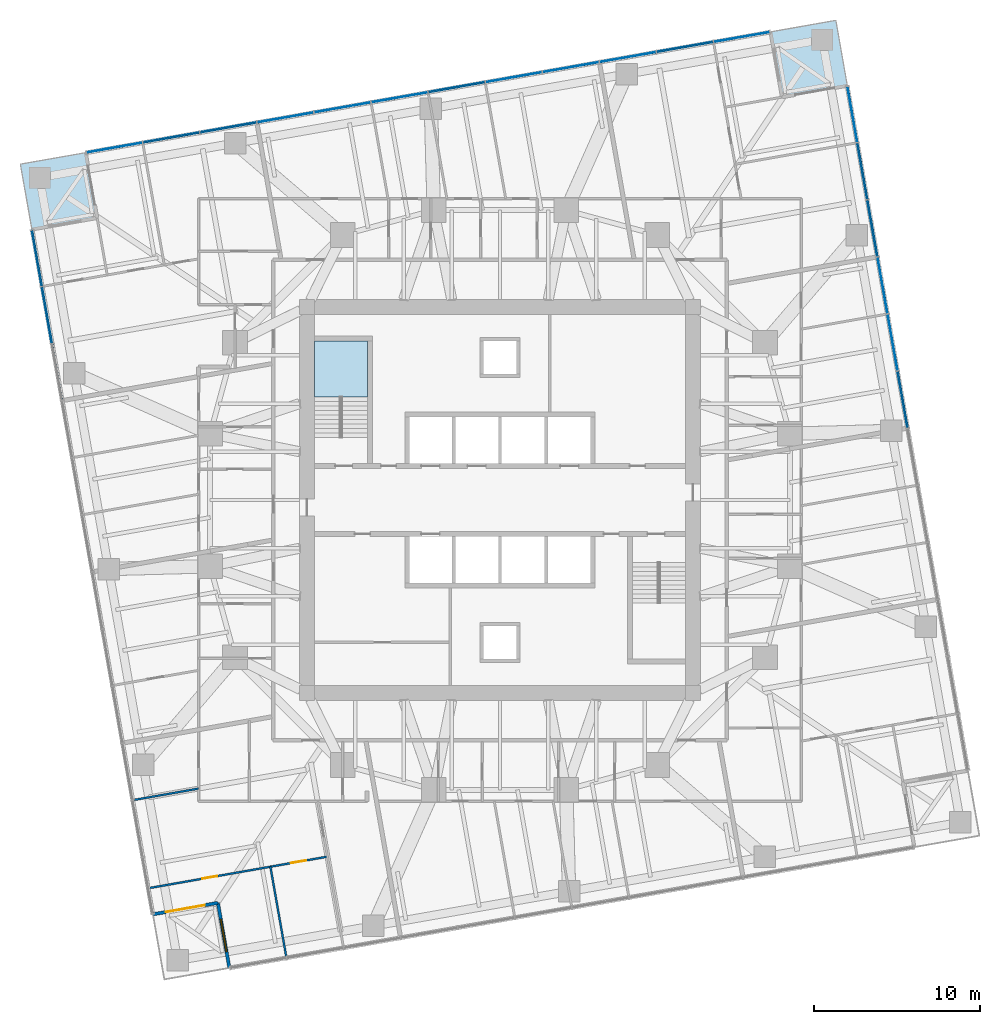
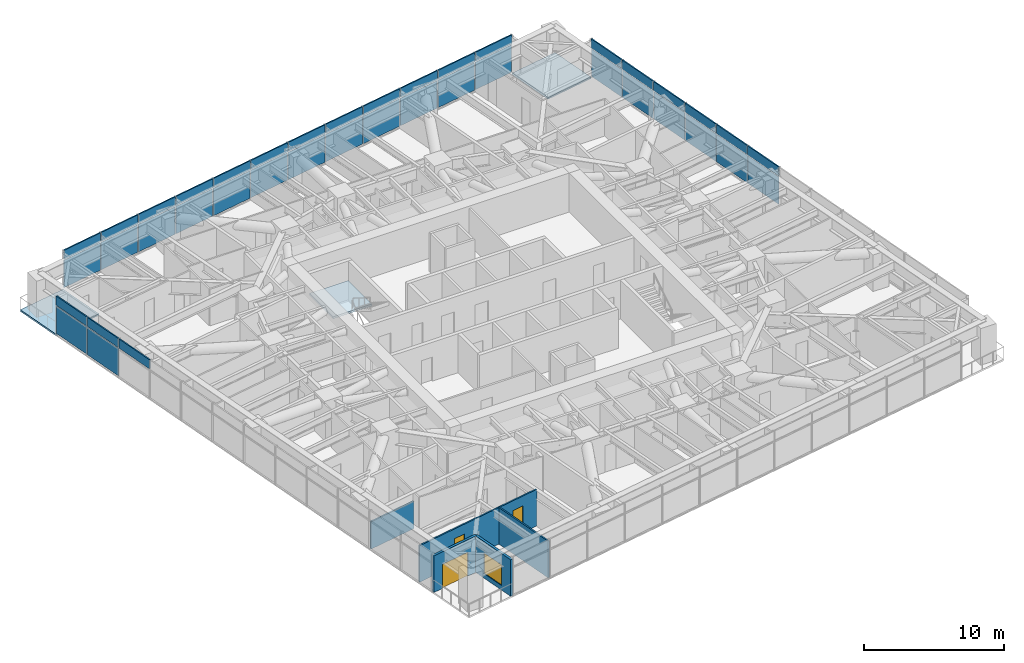
# One storey, part 10 of 17: 41 plates, 5 walls, 3 doors, 3 slabs, 1 window, 4 openings, 4 elements without a shape of their own.
"""IFC4 building model written with IfcOpenShell, lengths in metres."""

import ifcopenshell
import ifcopenshell.guid

model = None  # the IFC model being written
_history = None  # IfcOwnerHistory: only IFC2X3 demands one
_inside = {}  # id of a spatial element -> (the spatial element, [elements in it])
_under = {}  # id of a project, library or spatial element -> (it, [spatial elements below it])
_declared = {}  # id of a project -> (the project, [libraries it declares])
_typed = {}  # id of a type object -> (the type object, [elements of that type])
_made_of = {}  # id of a material, layer set ... -> (it, [elements and type objects made of it])


def new_model(schema):
    """Start an empty IFC model of exactly this schema.

    Asked for "IFC4X3", IfcOpenShell would pick the latest addendum, in which some entities
    have other attributes; the version numbers below select the first issue.
    IFC2X3 requires an IfcOwnerHistory on every rooted entity: one is made here for all.
    """
    global model, _history
    if schema == "IFC4X3":
        model = ifcopenshell.file(schema_version=(4, 3, 0, 0))
    else:
        model = ifcopenshell.file(schema=schema)
    _inside.clear()
    _under.clear()
    _declared.clear()
    _typed.clear()
    _made_of.clear()
    _history = None
    if model.schema == "IFC2X3":
        org = make("IfcOrganization", Name="unknown")
        user = make(
            "IfcPersonAndOrganization",
            ThePerson=make("IfcPerson", FamilyName="unknown"),
            TheOrganization=org,
        )
        app = make(
            "IfcApplication",
            ApplicationDeveloper=org,
            Version="unknown",
            ApplicationFullName="unknown",
            ApplicationIdentifier="unknown",
        )
        _history = make(
            "IfcOwnerHistory",
            OwningUser=user,
            OwningApplication=app,
            ChangeAction="ADDED",
            CreationDate=0,
        )
    return model


def make(cls, **values):
    """One entity of the class cls with the attributes given. An attribute that is None is left unset."""
    return model.create_entity(
        cls, **{name: value for name, value in values.items() if value is not None}
    )


def rooted(cls, **values):
    """An entity with a GlobalId (a new one), such as an element, a storey or a relation."""
    return make(cls, GlobalId=ifcopenshell.guid.new(), OwnerHistory=_history, **values)


def si_unit(unit_type, name, prefix=None):
    """IfcSIUnit, for example si_unit("LENGTHUNIT", "METRE", prefix="MILLI")."""
    return make("IfcSIUnit", UnitType=unit_type, Prefix=prefix, Name=name)


def assignment(units):
    """IfcUnitAssignment: the units of a project."""
    return None if units is None else make("IfcUnitAssignment", Units=units)


def point(xyz):
    """IfcCartesianPoint."""
    return None if xyz is None else make("IfcCartesianPoint", Coordinates=xyz)


def direction(xyz):
    """IfcDirection."""
    return None if xyz is None else make("IfcDirection", DirectionRatios=xyz)


def frame(location, z_axis=None, x_axis=None):
    """IfcAxis2Placement3D, a coordinate frame: its origin and axes. An axis left out is left unset."""
    return make(
        "IfcAxis2Placement3D",
        Location=point(location),
        Axis=direction(z_axis),
        RefDirection=direction(x_axis),
    )


def frame_2d(location, x_axis=None):
    """IfcAxis2Placement2D, a coordinate frame in the plane: its origin and x axis."""
    return make(
        "IfcAxis2Placement2D", Location=point(location), RefDirection=direction(x_axis)
    )


def origin():
    """The frame at (0, 0, 0) with its axes left unset."""
    return frame((0.0, 0.0, 0.0))


def origin_2d():
    """The frame at (0, 0) in the plane with its x axis left unset."""
    return frame_2d((0.0, 0.0))


def place(relative_to, where):
    """IfcLocalPlacement: puts the frame where relative to a parent placement (None: the world)."""
    return make(
        "IfcLocalPlacement", PlacementRelTo=relative_to, RelativePlacement=where
    )


def context(
    kind, dimensions, precision=None, world=None, true_north=None, identifier=None
):
    """IfcGeometricRepresentationContext, for example the 3D "Model" context."""
    return make(
        "IfcGeometricRepresentationContext",
        ContextIdentifier=identifier,
        ContextType=kind,
        CoordinateSpaceDimension=dimensions,
        Precision=precision,
        WorldCoordinateSystem=world,
        TrueNorth=true_north,
    )


def subcontext(parent, identifier, kind, view, scale=None):
    """IfcGeometricRepresentationSubContext, for example "Body" below "Model"."""
    return make(
        "IfcGeometricRepresentationSubContext",
        ContextIdentifier=identifier,
        ContextType=kind,
        ParentContext=parent,
        TargetScale=scale,
        TargetView=view,
    )


def project(units=None, contexts=None):
    """IfcProject with its units and contexts."""
    return rooted(
        "IfcProject",
        Name="project",
        RepresentationContexts=contexts,
        UnitsInContext=assignment(units),
    )


def spatial(cls, under=None, at=None, **own):
    """A site, building, storey or space (cls), placed at a placement, below another one or the project."""
    s = rooted(cls, ObjectPlacement=at, **own)
    if under is not None:
        _under.setdefault(under.id(), (under, []))[1].append(s)
    return s


def polyline(points):
    """IfcPolyline through the points."""
    return make("IfcPolyline", Points=[point(p) for p in points])


def profile(cls, at=None, kind="AREA", **sizes):
    """A parametric profile (cls). Its sizes go by their IFC names, for example OverallWidth=200.0."""
    return make(cls, ProfileType=kind, Position=at, **sizes)


def rectangle(**sizes):
    """IfcRectangleProfileDef."""
    return profile("IfcRectangleProfileDef", **sizes)


def outline(outer, holes=None, kind="AREA"):
    """IfcArbitraryClosedProfileDef: a profile drawn as a closed curve; with holes, ...WithVoids."""
    if holes is None:
        return make("IfcArbitraryClosedProfileDef", ProfileType=kind, OuterCurve=outer)
    return make(
        "IfcArbitraryProfileDefWithVoids",
        ProfileType=kind,
        OuterCurve=outer,
        InnerCurves=holes,
    )


def extrude(swept, where, along, depth):
    """IfcExtrudedAreaSolid: the profile swept, set in the frame where, extruded along a direction by depth."""
    return make(
        "IfcExtrudedAreaSolid",
        SweptArea=swept,
        Position=where,
        ExtrudedDirection=direction(along),
        Depth=depth,
    )


def shape(context_of_items, identifier, shape_type, items):
    """IfcShapeRepresentation: the items that make up one representation, for example the "Body"."""
    return make(
        "IfcShapeRepresentation",
        ContextOfItems=context_of_items,
        RepresentationIdentifier=identifier,
        RepresentationType=shape_type,
        Items=items,
    )


def material(Name=None, Category=None):
    """IfcMaterial."""
    return make("IfcMaterial", Name=Name, Category=Category)


def layer(
    of_material, thickness, ventilated=None, Name=None, Category=None, Priority=None
):
    """IfcMaterialLayer: one layer of a wall or slab, of a material (None: an air gap)."""
    return make(
        "IfcMaterialLayer",
        Material=of_material,
        LayerThickness=thickness,
        IsVentilated=ventilated,
        Name=Name,
        Category=Category,
        Priority=Priority,
    )


def layer_set(layers, Name=None):
    """IfcMaterialLayerSet."""
    return make("IfcMaterialLayerSet", MaterialLayers=layers, LayerSetName=Name)


def made_of(thing, what):
    """Note that an element or type object is made of a material, layer set ...; save() writes the relation."""
    if what is not None:
        _made_of.setdefault(what.id(), (what, []))[1].append(thing)
    return thing


def type_object(cls, material=None, **own):
    """A type object (cls), such as IfcWallType, which elements share."""
    return made_of(rooted(cls, **own), material)


def element(
    cls,
    number,
    at=None,
    inside=None,
    cuts=None,
    type_object=None,
    material=None,
    context=None,
    identifier="Body",
    shape_type=None,
    held_by="IfcProductDefinitionShape",
    body=None,
    shapes=None,
    **own,
):
    """One element of the class cls, such as IfcWall. Its Tag is "e" and its number.

    at: its placement. inside: the storey or other place that contains it. cuts: it is an
    opening in that element (IfcRelVoidsElement). A single representation is given by context,
    identifier, shape_type and body (its items); several are given by shapes. held_by: the class
    of the entity that holds the representations. save() writes the other relations.
    """
    e = rooted(cls, Tag="e%d" % number, ObjectPlacement=at, **own)
    if body is not None:
        shapes = [shape(context, identifier, shape_type, body)]
    if shapes is not None:
        e.Representation = make(held_by, Representations=shapes)
    if inside is not None:
        _inside.setdefault(inside.id(), (inside, []))[1].append(e)
    if cuts is not None:
        rooted(
            "IfcRelVoidsElement", RelatingBuildingElement=cuts, RelatedOpeningElement=e
        )
    if type_object is not None:
        _typed.setdefault(type_object.id(), (type_object, []))[1].append(e)
    return made_of(e, material)


def fill(opening, filler):
    """IfcRelFillsElement: the door or window that sits in an opening."""
    return rooted(
        "IfcRelFillsElement",
        RelatingOpeningElement=opening,
        RelatedBuildingElement=filler,
    )


def aggregate(whole, parts):
    """IfcRelAggregates: a whole, such as a stair, and the parts it consists of."""
    return rooted("IfcRelAggregates", RelatingObject=whole, RelatedObjects=parts)


def save(model, path):
    """Write the relations noted so far, then the file.

    IfcRelAggregates (storeys below a building ...), IfcRelContainedInSpatialStructure (elements
    in a storey), IfcRelDefinesByType, IfcRelAssociatesMaterial and IfcRelDeclares: one each for
    every whole, place, type object, material and project.
    """
    for whole, parts in _under.values():
        aggregate(whole, parts)
    for where, things in _inside.values():
        rooted(
            "IfcRelContainedInSpatialStructure",
            RelatedElements=things,
            RelatingStructure=where,
        )
    for kind, things in _typed.values():
        rooted("IfcRelDefinesByType", RelatedObjects=things, RelatingType=kind)
    for what, things in _made_of.values():
        rooted("IfcRelAssociatesMaterial", RelatedObjects=things, RelatingMaterial=what)
    for by, libraries in _declared.values():
        rooted("IfcRelDeclares", RelatingContext=by, RelatedDefinitions=libraries)
    model.write(path)


model = new_model("IFC4")

# Units and contexts
model_context = context("Model", 3, precision=1e-05, world=origin(), true_north=direction((0.0, 1.0)))
body_context = subcontext(model_context, "Body", "Model", "MODEL_VIEW")
ifc_project = project(units=[si_unit("LENGTHUNIT", "METRE"), si_unit("AREAUNIT", "SQUARE_METRE"), si_unit("VOLUMEUNIT", "CUBIC_METRE"), si_unit("PLANEANGLEUNIT", "RADIAN"), si_unit("MASSUNIT", "GRAM", prefix="KILO")], contexts=[model_context])

# Site, building, storey
site_placement = place(None, origin())
site = spatial("IfcSite", under=ifc_project, at=site_placement, CompositionType="ELEMENT")
building_placement = place(site_placement, origin())
building = spatial("IfcBuilding", under=site, at=building_placement, Name="Torsade Residences", CompositionType="ELEMENT")
storey_placement = place(building_placement, frame((0.0, 0.0, 103.199951171875)))
storey = spatial("IfcBuildingStorey", under=building, at=storey_placement, Name="L28", CompositionType="ELEMENT", Elevation=103.199951171875)

# Curtain wall, plates
ifc_material_1 = material(Name="Aluminium and glass", Category="aluminium")
curtain_wall_type = type_object("IfcCurtainWallType", Name="FRITTED GLASS CURTAIN WALL LOW ZONE", PredefinedType="NOTDEFINED", material=ifc_material_1)
curtain_wall_1_placement = place(storey_placement, origin())
curtain_wall_1 = element("IfcCurtainWall", 1, at=curtain_wall_1_placement, inside=storey, type_object=curtain_wall_type, Name="Curtain wall L28 face 4", PredefinedType="NOTDEFINED")
ifc_material_2 = material(Name="Laminated glass", Category="glass")
ifc_layer_1 = layer(ifc_material_2, 0.031982421875)
ifc_layer_set_1 = layer_set([ifc_layer_1], Name="Laminated glass")
plate_type_1 = type_object("IfcPlateType", Name="FRITTED GLASS PANEL", PredefinedType="CURTAIN_PANEL", material=ifc_layer_set_1)
plate_1_placement = place(storey_placement, frame((64.31640625, 36.064697265625, 0.10009765625), z_axis=(0.0, 0.0, 1.0), x_axis=(-0.173648192638, 0.984807750372, 0.0)))
plate_1 = element("IfcPlate", 2, at=plate_1_placement, type_object=plate_type_1, Name="Panel 7", PredefinedType="CURTAIN_PANEL", context=body_context, shape_type="SweptSolid", body=[
    extrude(rectangle(XDim=3.43505859375, YDim=0.031982421875, at=origin_2d()), origin(), (0.0, 0.0, 1.0), 2.39990234375),
])
plate_2_placement = place(storey_placement, frame((63.70849609375, 39.511474609375, 0.10009765625), z_axis=(0.0, 0.0, 1.0), x_axis=(-0.173648192638, 0.984807750372, 0.0)))
plate_2 = element("IfcPlate", 3, at=plate_2_placement, type_object=plate_type_1, Name="Panel 8", PredefinedType="CURTAIN_PANEL", context=body_context, shape_type="SweptSolid", body=[
    extrude(rectangle(XDim=3.43505859375, YDim=0.031982421875, at=origin_2d()), origin(), (0.0, 0.0, 1.0), 2.39990234375),
])
plate_3_placement = place(storey_placement, frame((63.100830078125, 42.958251953125, 0.10009765625), z_axis=(0.0, 0.0, 1.0), x_axis=(-0.173648192638, 0.984807750372, 0.0)))
plate_3 = element("IfcPlate", 4, at=plate_3_placement, type_object=plate_type_1, Name="Panel 9", PredefinedType="CURTAIN_PANEL", context=body_context, shape_type="SweptSolid", body=[
    extrude(rectangle(XDim=3.43505859375, YDim=0.031982421875, at=origin_2d()), origin(), (0.0, 0.0, 1.0), 2.39990234375),
])
plate_4_placement = place(storey_placement, frame((61.88525390625, 49.851806640625, 0.10009765625), z_axis=(0.0, 0.0, 1.0), x_axis=(-0.173648192638, 0.984807750372, 0.0)))
plate_4 = element("IfcPlate", 5, at=plate_4_placement, type_object=plate_type_1, Name="Panel 11", PredefinedType="CURTAIN_PANEL", context=body_context, shape_type="SweptSolid", body=[
    extrude(rectangle(XDim=3.43505859375, YDim=0.031982421875, at=origin_2d()), origin(), (0.0, 0.0, 1.0), 2.39990234375),
])
plate_5_placement = place(storey_placement, frame((61.2802734375, 53.28271484375, 0.10009765625), z_axis=(0.0, 0.0, 1.0), x_axis=(-0.173648192638, 0.984807750372, 0.0)))
plate_5 = element("IfcPlate", 6, at=plate_5_placement, type_object=plate_type_1, Name="Panel 12", PredefinedType="CURTAIN_PANEL", context=body_context, shape_type="SweptSolid", body=[
    extrude(rectangle(XDim=3.402587890625, YDim=0.031982421875, at=origin_2d()), origin(), (0.0, 0.0, 1.0), 2.39990234375),
])

curtain_wall_2_placement = place(storey_placement, origin())
curtain_wall_2 = element("IfcCurtainWall", 7, at=curtain_wall_2_placement, inside=storey, type_object=curtain_wall_type, Name="Curtain wall L28 face 7", PredefinedType="NOTDEFINED")
plate_6_placement = place(storey_placement, frame((54.600341796875, 57.960205078125, 0.10009765625), z_axis=(0.0, 0.0, 1.0), x_axis=(-0.984807750372, -0.173648192638, 0.0)))
plate_6 = element("IfcPlate", 8, at=plate_6_placement, type_object=plate_type_1, Name="Panel 1", PredefinedType="CURTAIN_PANEL", context=body_context, shape_type="SweptSolid", body=[
    extrude(rectangle(XDim=3.402587890625, YDim=0.031982421875, at=origin_2d()), origin(), (0.0, 0.0, 1.0), 2.39990234375),
])
plate_7_placement = place(storey_placement, frame((47.72265625, 56.747314453125, 0.10009765625), z_axis=(0.0, 0.0, 1.0), x_axis=(-0.984807750372, -0.173648192638, 0.0)))
plate_7 = element("IfcPlate", 9, at=plate_7_placement, type_object=plate_type_1, Name="Panel 3", PredefinedType="CURTAIN_PANEL", context=body_context, shape_type="SweptSolid", body=[
    extrude(rectangle(XDim=3.43505859375, YDim=0.031982421875, at=origin_2d()), origin(), (0.0, 0.0, 1.0), 2.39990234375),
])
plate_8_placement = place(storey_placement, frame((44.27587890625, 56.1396484375, 0.10009765625), z_axis=(0.0, 0.0, 1.0), x_axis=(-0.984807750372, -0.173648192638, 0.0)))
plate_8 = element("IfcPlate", 10, at=plate_8_placement, type_object=plate_type_1, Name="Panel 4", PredefinedType="CURTAIN_PANEL", context=body_context, shape_type="SweptSolid", body=[
    extrude(rectangle(XDim=3.43505859375, YDim=0.031982421875, at=origin_2d()), origin(), (0.0, 0.0, 1.0), 2.39990234375),
])
plate_9_placement = place(storey_placement, frame((40.8291015625, 55.53173828125, 0.10009765625), z_axis=(0.0, 0.0, 1.0), x_axis=(-0.984807750372, -0.173648192638, 0.0)))
plate_9 = element("IfcPlate", 11, at=plate_9_placement, type_object=plate_type_1, Name="Panel 5", PredefinedType="CURTAIN_PANEL", context=body_context, shape_type="SweptSolid", body=[
    extrude(rectangle(XDim=3.43505859375, YDim=0.031982421875, at=origin_2d()), origin(), (0.0, 0.0, 1.0), 2.39990234375),
])
plate_10_placement = place(storey_placement, frame((33.935302734375, 54.31640625, 0.10009765625), z_axis=(0.0, 0.0, 1.0), x_axis=(-0.984807750372, -0.173648192638, 0.0)))
plate_10 = element("IfcPlate", 12, at=plate_10_placement, type_object=plate_type_1, Name="Panel 7", PredefinedType="CURTAIN_PANEL", context=body_context, shape_type="SweptSolid", body=[
    extrude(rectangle(XDim=3.43505859375, YDim=0.031982421875, at=origin_2d()), origin(), (0.0, 0.0, 1.0), 2.39990234375),
])
plate_11_placement = place(storey_placement, frame((30.488525390625, 53.70849609375, 0.10009765625), z_axis=(0.0, 0.0, 1.0), x_axis=(-0.984807750372, -0.173648192638, 0.0)))
plate_11 = element("IfcPlate", 13, at=plate_11_placement, type_object=plate_type_1, Name="Panel 8", PredefinedType="CURTAIN_PANEL", context=body_context, shape_type="SweptSolid", body=[
    extrude(rectangle(XDim=3.43505859375, YDim=0.031982421875, at=origin_2d()), origin(), (0.0, 0.0, 1.0), 2.39990234375),
])
plate_12_placement = place(storey_placement, frame((27.041748046875, 53.100830078125, 0.10009765625), z_axis=(0.0, 0.0, 1.0), x_axis=(-0.984807750372, -0.173648192638, 0.0)))
plate_12 = element("IfcPlate", 14, at=plate_12_placement, type_object=plate_type_1, Name="Panel 9", PredefinedType="CURTAIN_PANEL", context=body_context, shape_type="SweptSolid", body=[
    extrude(rectangle(XDim=3.43505859375, YDim=0.031982421875, at=origin_2d()), origin(), (0.0, 0.0, 1.0), 2.39990234375),
])
plate_13_placement = place(storey_placement, frame((20.148193359375, 51.88525390625, 0.10009765625), z_axis=(0.0, 0.0, 1.0), x_axis=(-0.984807750372, -0.173648192638, 0.0)))
plate_13 = element("IfcPlate", 15, at=plate_13_placement, type_object=plate_type_1, Name="Panel 11", PredefinedType="CURTAIN_PANEL", context=body_context, shape_type="SweptSolid", body=[
    extrude(rectangle(XDim=3.43505859375, YDim=0.031982421875, at=origin_2d()), origin(), (0.0, 0.0, 1.0), 2.39990234375),
])
plate_14_placement = place(storey_placement, frame((16.71728515625, 51.2802734375, 0.10009765625), z_axis=(0.0, 0.0, 1.0), x_axis=(-0.984807750372, -0.173648192638, 0.0)))
plate_14 = element("IfcPlate", 16, at=plate_14_placement, type_object=plate_type_1, Name="Panel 12", PredefinedType="CURTAIN_PANEL", context=body_context, shape_type="SweptSolid", body=[
    extrude(rectangle(XDim=3.402587890625, YDim=0.031982421875, at=origin_2d()), origin(), (0.0, 0.0, 1.0), 2.39990234375),
])

# Curtain wall, plate
curtain_wall_3_placement = place(storey_placement, origin())
curtain_wall_3 = element("IfcCurtainWall", 17, at=curtain_wall_3_placement, inside=storey, type_object=curtain_wall_type, Name="Curtain wall L28 face 10", PredefinedType="NOTDEFINED")
plate_15_placement = place(storey_placement, frame((12.039794921875, 44.600341796875, 0.10009765625), z_axis=(0.0, 0.0, 1.0), x_axis=(0.173648192638, -0.984807750372, 0.0)))
plate_15 = element("IfcPlate", 18, at=plate_15_placement, type_object=plate_type_1, Name="Panel 1", PredefinedType="CURTAIN_PANEL", context=body_context, shape_type="SweptSolid", body=[
    extrude(rectangle(XDim=3.402587890625, YDim=0.031982421875, at=origin_2d()), origin(), (0.0, 0.0, 1.0), 2.39990234375),
])

# Plate
ifc_material_3 = material(Name="Aluminium composite spandrel panel", Category="aluminium")
ifc_layer_2 = layer(ifc_material_3, 0.10009765625)
ifc_layer_set_2 = layer_set([ifc_layer_2], Name="Aluminium composite spandrel panel")
plate_type_2 = type_object("IfcPlateType", Name="OPAQUE SPANDREL PANEL", PredefinedType="CURTAIN_PANEL", material=ifc_layer_set_2)
plate_16_placement = place(storey_placement, frame((64.31640625, 36.064697265625, 2.60009765625), z_axis=(0.0, 0.0, 1.0), x_axis=(-0.173648192638, 0.984807750372, 0.0)))
plate_16 = element("IfcPlate", 19, at=plate_16_placement, type_object=plate_type_2, Name="Spandrel panel 7", PredefinedType="CURTAIN_PANEL", context=body_context, shape_type="SweptSolid", body=[
    extrude(rectangle(XDim=3.43505859375, YDim=0.10009765625, at=origin_2d()), origin(), (0.0, 0.0, 1.0), 0.800048828125),
])

plate_17_placement = place(storey_placement, frame((63.70849609375, 39.511474609375, 2.60009765625), z_axis=(0.0, 0.0, 1.0), x_axis=(-0.173648192638, 0.984807750372, 0.0)))
plate_17 = element("IfcPlate", 20, at=plate_17_placement, type_object=plate_type_2, Name="Spandrel panel 8", PredefinedType="CURTAIN_PANEL", context=body_context, shape_type="SweptSolid", body=[
    extrude(rectangle(XDim=3.43505859375, YDim=0.10009765625, at=origin_2d()), origin(), (0.0, 0.0, 1.0), 0.800048828125),
])

plate_18_placement = place(storey_placement, frame((63.100830078125, 42.958251953125, 2.60009765625), z_axis=(0.0, 0.0, 1.0), x_axis=(-0.173648192638, 0.984807750372, 0.0)))
plate_18 = element("IfcPlate", 21, at=plate_18_placement, type_object=plate_type_2, Name="Spandrel panel 9", PredefinedType="CURTAIN_PANEL", context=body_context, shape_type="SweptSolid", body=[
    extrude(rectangle(XDim=3.43505859375, YDim=0.10009765625, at=origin_2d()), origin(), (0.0, 0.0, 1.0), 0.800048828125),
])

plate_19_placement = place(storey_placement, frame((62.492919921875, 46.405029296875, 2.60009765625), z_axis=(0.0, 0.0, 1.0), x_axis=(-0.173648192638, 0.984807750372, 0.0)))
plate_19 = element("IfcPlate", 22, at=plate_19_placement, type_object=plate_type_2, Name="Spandrel panel 10", PredefinedType="CURTAIN_PANEL", context=body_context, shape_type="SweptSolid", body=[
    extrude(rectangle(XDim=3.43505859375, YDim=0.10009765625, at=origin_2d()), origin(), (0.0, 0.0, 1.0), 0.800048828125),
])

plate_20_placement = place(storey_placement, frame((61.88525390625, 49.851806640625, 2.60009765625), z_axis=(0.0, 0.0, 1.0), x_axis=(-0.173648192638, 0.984807750372, 0.0)))
plate_20 = element("IfcPlate", 23, at=plate_20_placement, type_object=plate_type_2, Name="Spandrel panel 11", PredefinedType="CURTAIN_PANEL", context=body_context, shape_type="SweptSolid", body=[
    extrude(rectangle(XDim=3.43505859375, YDim=0.10009765625, at=origin_2d()), origin(), (0.0, 0.0, 1.0), 0.800048828125),
])

plate_21_placement = place(storey_placement, frame((61.2802734375, 53.28271484375, 2.60009765625), z_axis=(0.0, 0.0, 1.0), x_axis=(-0.173648192638, 0.984807750372, 0.0)))
plate_21 = element("IfcPlate", 24, at=plate_21_placement, type_object=plate_type_2, Name="Spandrel panel 12", PredefinedType="CURTAIN_PANEL", context=body_context, shape_type="SweptSolid", body=[
    extrude(rectangle(XDim=3.402587890625, YDim=0.10009765625, at=origin_2d()), origin(), (0.0, 0.0, 1.0), 0.800048828125),
])

plate_22_placement = place(storey_placement, frame((54.600341796875, 57.960205078125, 2.60009765625), z_axis=(0.0, 0.0, 1.0), x_axis=(-0.984807750372, -0.173648192638, 0.0)))
plate_22 = element("IfcPlate", 25, at=plate_22_placement, type_object=plate_type_2, Name="Spandrel panel 1", PredefinedType="CURTAIN_PANEL", context=body_context, shape_type="SweptSolid", body=[
    extrude(rectangle(XDim=3.402587890625, YDim=0.10009765625, at=origin_2d()), origin(), (0.0, 0.0, 1.0), 0.800048828125),
])

plate_23_placement = place(storey_placement, frame((51.16943359375, 57.355224609375, 2.60009765625), z_axis=(0.0, 0.0, 1.0), x_axis=(-0.984807750372, -0.173648192638, 0.0)))
plate_23 = element("IfcPlate", 26, at=plate_23_placement, type_object=plate_type_2, Name="Spandrel panel 2", PredefinedType="CURTAIN_PANEL", context=body_context, shape_type="SweptSolid", body=[
    extrude(rectangle(XDim=3.43505859375, YDim=0.10009765625, at=origin_2d()), origin(), (0.0, 0.0, 1.0), 0.800048828125),
])

plate_24_placement = place(storey_placement, frame((47.72265625, 56.747314453125, 2.60009765625), z_axis=(0.0, 0.0, 1.0), x_axis=(-0.984807750372, -0.173648192638, 0.0)))
plate_24 = element("IfcPlate", 27, at=plate_24_placement, type_object=plate_type_2, Name="Spandrel panel 3", PredefinedType="CURTAIN_PANEL", context=body_context, shape_type="SweptSolid", body=[
    extrude(rectangle(XDim=3.43505859375, YDim=0.10009765625, at=origin_2d()), origin(), (0.0, 0.0, 1.0), 0.800048828125),
])

plate_25_placement = place(storey_placement, frame((44.27587890625, 56.1396484375, 2.60009765625), z_axis=(0.0, 0.0, 1.0), x_axis=(-0.984807750372, -0.173648192638, 0.0)))
plate_25 = element("IfcPlate", 28, at=plate_25_placement, type_object=plate_type_2, Name="Spandrel panel 4", PredefinedType="CURTAIN_PANEL", context=body_context, shape_type="SweptSolid", body=[
    extrude(rectangle(XDim=3.43505859375, YDim=0.10009765625, at=origin_2d()), origin(), (0.0, 0.0, 1.0), 0.800048828125),
])

plate_26_placement = place(storey_placement, frame((40.8291015625, 55.53173828125, 2.60009765625), z_axis=(0.0, 0.0, 1.0), x_axis=(-0.984807750372, -0.173648192638, 0.0)))
plate_26 = element("IfcPlate", 29, at=plate_26_placement, type_object=plate_type_2, Name="Spandrel panel 5", PredefinedType="CURTAIN_PANEL", context=body_context, shape_type="SweptSolid", body=[
    extrude(rectangle(XDim=3.43505859375, YDim=0.10009765625, at=origin_2d()), origin(), (0.0, 0.0, 1.0), 0.800048828125),
])

plate_27_placement = place(storey_placement, frame((37.38232421875, 54.924072265625, 2.60009765625), z_axis=(0.0, 0.0, 1.0), x_axis=(-0.984807750372, -0.173648192638, 0.0)))
plate_27 = element("IfcPlate", 30, at=plate_27_placement, type_object=plate_type_2, Name="Spandrel panel 6", PredefinedType="CURTAIN_PANEL", context=body_context, shape_type="SweptSolid", body=[
    extrude(rectangle(XDim=3.43505859375, YDim=0.10009765625, at=origin_2d()), origin(), (0.0, 0.0, 1.0), 0.800048828125),
])

plate_28_placement = place(storey_placement, frame((33.935302734375, 54.31640625, 2.60009765625), z_axis=(0.0, 0.0, 1.0), x_axis=(-0.984807750372, -0.173648192638, 0.0)))
plate_28 = element("IfcPlate", 31, at=plate_28_placement, type_object=plate_type_2, Name="Spandrel panel 7", PredefinedType="CURTAIN_PANEL", context=body_context, shape_type="SweptSolid", body=[
    extrude(rectangle(XDim=3.43505859375, YDim=0.10009765625, at=origin_2d()), origin(), (0.0, 0.0, 1.0), 0.800048828125),
])

plate_29_placement = place(storey_placement, frame((30.488525390625, 53.70849609375, 2.60009765625), z_axis=(0.0, 0.0, 1.0), x_axis=(-0.984807750372, -0.173648192638, 0.0)))
plate_29 = element("IfcPlate", 32, at=plate_29_placement, type_object=plate_type_2, Name="Spandrel panel 8", PredefinedType="CURTAIN_PANEL", context=body_context, shape_type="SweptSolid", body=[
    extrude(rectangle(XDim=3.43505859375, YDim=0.10009765625, at=origin_2d()), origin(), (0.0, 0.0, 1.0), 0.800048828125),
])

plate_30_placement = place(storey_placement, frame((27.041748046875, 53.100830078125, 2.60009765625), z_axis=(0.0, 0.0, 1.0), x_axis=(-0.984807750372, -0.173648192638, 0.0)))
plate_30 = element("IfcPlate", 33, at=plate_30_placement, type_object=plate_type_2, Name="Spandrel panel 9", PredefinedType="CURTAIN_PANEL", context=body_context, shape_type="SweptSolid", body=[
    extrude(rectangle(XDim=3.43505859375, YDim=0.10009765625, at=origin_2d()), origin(), (0.0, 0.0, 1.0), 0.800048828125),
])

plate_31_placement = place(storey_placement, frame((23.594970703125, 52.492919921875, 2.60009765625), z_axis=(0.0, 0.0, 1.0), x_axis=(-0.984807750372, -0.173648192638, 0.0)))
plate_31 = element("IfcPlate", 34, at=plate_31_placement, type_object=plate_type_2, Name="Spandrel panel 10", PredefinedType="CURTAIN_PANEL", context=body_context, shape_type="SweptSolid", body=[
    extrude(rectangle(XDim=3.43505859375, YDim=0.10009765625, at=origin_2d()), origin(), (0.0, 0.0, 1.0), 0.800048828125),
])

plate_32_placement = place(storey_placement, frame((20.148193359375, 51.88525390625, 2.60009765625), z_axis=(0.0, 0.0, 1.0), x_axis=(-0.984807750372, -0.173648192638, 0.0)))
plate_32 = element("IfcPlate", 35, at=plate_32_placement, type_object=plate_type_2, Name="Spandrel panel 11", PredefinedType="CURTAIN_PANEL", context=body_context, shape_type="SweptSolid", body=[
    extrude(rectangle(XDim=3.43505859375, YDim=0.10009765625, at=origin_2d()), origin(), (0.0, 0.0, 1.0), 0.800048828125),
])

plate_33_placement = place(storey_placement, frame((16.71728515625, 51.2802734375, 2.60009765625), z_axis=(0.0, 0.0, 1.0), x_axis=(-0.984807750372, -0.173648192638, 0.0)))
plate_33 = element("IfcPlate", 36, at=plate_33_placement, type_object=plate_type_2, Name="Spandrel panel 12", PredefinedType="CURTAIN_PANEL", context=body_context, shape_type="SweptSolid", body=[
    extrude(rectangle(XDim=3.402587890625, YDim=0.10009765625, at=origin_2d()), origin(), (0.0, 0.0, 1.0), 0.800048828125),
])

plate_34_placement = place(storey_placement, frame((12.039794921875, 44.600341796875, 2.60009765625), z_axis=(0.0, 0.0, 1.0), x_axis=(0.173648192638, -0.984807750372, 0.0)))
plate_34 = element("IfcPlate", 37, at=plate_34_placement, type_object=plate_type_2, Name="Spandrel panel 1", PredefinedType="CURTAIN_PANEL", context=body_context, shape_type="SweptSolid", body=[
    extrude(rectangle(XDim=3.402587890625, YDim=0.10009765625, at=origin_2d()), origin(), (0.0, 0.0, 1.0), 0.800048828125),
])

plate_35_placement = place(storey_placement, frame((12.644775390625, 41.16943359375, 2.60009765625), z_axis=(0.0, 0.0, 1.0), x_axis=(0.173648192638, -0.984807750372, 0.0)))
plate_35 = element("IfcPlate", 38, at=plate_35_placement, type_object=plate_type_2, Name="Spandrel panel 2", PredefinedType="CURTAIN_PANEL", context=body_context, shape_type="SweptSolid", body=[
    extrude(rectangle(XDim=3.43505859375, YDim=0.10009765625, at=origin_2d()), origin(), (0.0, 0.0, 1.0), 0.800048828125),
])

plate_36_placement = place(storey_placement, frame((13.252685546875, 37.72265625, 2.60009765625), z_axis=(0.0, 0.0, 1.0), x_axis=(0.173648192638, -0.984807750372, 0.0)))
plate_36 = element("IfcPlate", 39, at=plate_36_placement, type_object=plate_type_2, Name="Spandrel panel 3", PredefinedType="CURTAIN_PANEL", context=body_context, shape_type="SweptSolid", body=[
    extrude(rectangle(XDim=3.43505859375, YDim=0.10009765625, at=origin_2d()), origin(), (0.0, 0.0, 1.0), 0.800048828125),
])

ifc_material_4 = material(Name="Laminated glass", Category="glass")
ifc_layer_3 = layer(ifc_material_4, 0.0400390625)
ifc_layer_set_3 = layer_set([ifc_layer_3], Name="Laminated glass")
plate_type_3 = type_object("IfcPlateType", Name="OPERABLE VENT PANEL", PredefinedType="CURTAIN_PANEL", material=ifc_layer_set_3)
plate_37_placement = place(storey_placement, frame((62.492919921875, 46.405029296875, 0.10009765625), z_axis=(0.0, 0.0, 1.0), x_axis=(-0.173648192638, 0.984807750372, 0.0)))
plate_37 = element("IfcPlate", 40, at=plate_37_placement, type_object=plate_type_3, Name="Panel 10", PredefinedType="CURTAIN_PANEL", context=body_context, shape_type="SweptSolid", body=[
    extrude(rectangle(XDim=3.43505859375, YDim=0.0400390625, at=origin_2d()), origin(), (0.0, 0.0, 1.0), 2.39990234375),
])

aggregate(curtain_wall_1, [plate_1, plate_16, plate_2, plate_17, plate_3, plate_18, plate_37, plate_19, plate_4, plate_20, plate_5, plate_21])

plate_38_placement = place(storey_placement, frame((51.16943359375, 57.355224609375, 0.10009765625), z_axis=(0.0, 0.0, 1.0), x_axis=(-0.984807750372, -0.173648192638, 0.0)))
plate_38 = element("IfcPlate", 41, at=plate_38_placement, type_object=plate_type_3, Name="Panel 2", PredefinedType="CURTAIN_PANEL", context=body_context, shape_type="SweptSolid", body=[
    extrude(rectangle(XDim=3.43505859375, YDim=0.0400390625, at=origin_2d()), origin(), (0.0, 0.0, 1.0), 2.39990234375),
])

plate_39_placement = place(storey_placement, frame((37.38232421875, 54.924072265625, 0.10009765625), z_axis=(0.0, 0.0, 1.0), x_axis=(-0.984807750372, -0.173648192638, 0.0)))
plate_39 = element("IfcPlate", 42, at=plate_39_placement, type_object=plate_type_3, Name="Panel 6", PredefinedType="CURTAIN_PANEL", context=body_context, shape_type="SweptSolid", body=[
    extrude(rectangle(XDim=3.43505859375, YDim=0.0400390625, at=origin_2d()), origin(), (0.0, 0.0, 1.0), 2.39990234375),
])

plate_40_placement = place(storey_placement, frame((23.594970703125, 52.492919921875, 0.10009765625), z_axis=(0.0, 0.0, 1.0), x_axis=(-0.984807750372, -0.173648192638, 0.0)))
plate_40 = element("IfcPlate", 43, at=plate_40_placement, type_object=plate_type_3, Name="Panel 10", PredefinedType="CURTAIN_PANEL", context=body_context, shape_type="SweptSolid", body=[
    extrude(rectangle(XDim=3.43505859375, YDim=0.0400390625, at=origin_2d()), origin(), (0.0, 0.0, 1.0), 2.39990234375),
])

aggregate(curtain_wall_2, [plate_6, plate_22, plate_38, plate_23, plate_7, plate_24, plate_8, plate_25, plate_9, plate_26, plate_39, plate_27, plate_10, plate_28, plate_11, plate_29, plate_12, plate_30, plate_40, plate_31, plate_13, plate_32, plate_14, plate_33])

plate_41_placement = place(storey_placement, frame((12.644775390625, 41.16943359375, 0.10009765625), z_axis=(0.0, 0.0, 1.0), x_axis=(0.173648192638, -0.984807750372, 0.0)))
plate_41 = element("IfcPlate", 44, at=plate_41_placement, type_object=plate_type_3, Name="Panel 2", PredefinedType="CURTAIN_PANEL", context=body_context, shape_type="SweptSolid", body=[
    extrude(rectangle(XDim=3.43505859375, YDim=0.0400390625, at=origin_2d()), origin(), (0.0, 0.0, 1.0), 2.39990234375),
])

aggregate(curtain_wall_3, [plate_15, plate_34, plate_41, plate_35, plate_36])

# Stair, slab
ifc_material_5 = material(Name="Precast concrete 40 MPa", Category="concrete")
stair_type = type_object("IfcStairType", Name="HALF-TURN FIRE STAIR 1500x3400", PredefinedType="HALF_TURN_STAIR", material=ifc_material_5)
stair_placement = place(storey_placement, origin())
stair = element("IfcStair", 45, at=stair_placement, inside=storey, type_object=stair_type, Name="Stair ST1 L28", PredefinedType="HALF_TURN_STAIR")
ifc_material_6 = material(Name="Precast concrete 40 MPa", Category="concrete")
ifc_layer_4 = layer(ifc_material_6, 0.179931640625)
ifc_layer_set_4 = layer_set([ifc_layer_4], Name="Precast concrete 40 MPa")
slab_type_1 = type_object("IfcSlabType", Name="PRECAST STAIR LANDING 180", PredefinedType="LANDING", material=ifc_layer_set_4)
slab_1_placement = place(storey_placement, frame((0.0, 0.0, 1.52001953125)))
slab_1 = element("IfcSlab", 46, at=slab_1_placement, type_object=slab_type_1, Name="ST1 landing 1", PredefinedType="LANDING", context=body_context, shape_type="SweptSolid", body=[
    extrude(outline(polyline([(28.800048828125, 36.2099609375), (32.0, 36.2099609375), (32.0, 39.60009765625), (28.800048828125, 39.60009765625), (28.800048828125, 36.2099609375)])), origin(), (0.0, 0.0, 1.0), 0.179931640625),
])
aggregate(stair, [slab_1])

# Slabs
ifc_material_7 = material(Name="Concrete 40 MPa", Category="concrete")
ifc_layer_5 = layer(ifc_material_7, 0.14990234375)
ifc_layer_set_5 = layer_set([ifc_layer_5], Name="Concrete 40 MPa")
slab_type_2 = type_object("IfcSlabType", Name="TERRACE SLAB 150", PredefinedType="FLOOR", material=ifc_layer_set_5)
slab_2_placement = place(storey_placement, frame((0.0, 0.0, -0.14990234375)))
element("IfcSlab", 47, at=slab_2_placement, inside=storey, type_object=slab_type_2, Name="Corner terrace slab NE L28", PredefinedType="FLOOR", context=body_context, shape_type="SweptSolid", body=[
    extrude(outline(polyline([(57.034423828125, 54.32763671875), (60.9736328125, 55.022216796875), (60.279052734375, 58.96142578125), (56.33984375, 58.266845703125), (57.034423828125, 54.32763671875)])), origin(), (0.0, 0.0, 1.0), 0.14990234375),
])
slab_3_placement = place(storey_placement, frame((0.0, 0.0, -0.14990234375)))
element("IfcSlab", 48, at=slab_3_placement, inside=storey, type_object=slab_type_2, Name="Corner terrace slab NW L28", PredefinedType="FLOOR", context=body_context, shape_type="SweptSolid", body=[
    extrude(outline(polyline([(11.733154296875, 46.33984375), (15.67236328125, 47.034423828125), (14.977783203125, 50.9736328125), (11.03857421875, 50.279052734375), (11.733154296875, 46.33984375)])), origin(), (0.0, 0.0, 1.0), 0.14990234375),
])

# Wall, openings, doors
ifc_material_8 = material(Name="Plasterboard on steel stud", Category="steel")
ifc_layer_6 = layer(ifc_material_8, 0.1201171875)
ifc_layer_set_6 = layer_set([ifc_layer_6], Name="Plasterboard on steel stud")
wall_type_1 = type_object("IfcWallType", Name="PARTITION 120", PredefinedType="PARTITIONING", material=ifc_layer_set_6)
wall_1_placement = place(storey_placement, frame((29.58154296875, 8.46337890625, 0.0), z_axis=(0.0, 0.0, 1.0), x_axis=(-0.98480552757, -0.173660798302, 0.0)))
wall_1 = element("IfcWall", 49, at=wall_1_placement, inside=storey, type_object=wall_type_1, Name="Partition L28", PredefinedType="PARTITIONING", context=body_context, shape_type="SweptSolid", body=[
    extrude(rectangle(XDim=10.9599609375, YDim=0.1201171875, at=frame_2d((5.47998046875, 0.0))), origin(), (0.0, 0.0, 1.0), 3.199951171875),
])
opening_1_placement = place(wall_1_placement, frame((6.76513671875, 0.0, 0.0)))
opening_1 = element("IfcOpeningElement", 50, at=opening_1_placement, cuts=wall_1, Name="Opening D02", PredefinedType="OPENING", context=body_context, shape_type="SweptSolid", body=[
    extrude(rectangle(XDim=0.919921875, YDim=2.340087890625, at=frame_2d((0.4599609375, 1.169921875))), frame((0.0, 0.070068359375, 0.0), z_axis=(0.0, -1.0, 0.0), x_axis=(1.0, 0.0, 0.0)), (0.0, 0.0, 1.0), 0.14013671875),
])
opening_2_placement = place(wall_1_placement, frame((1.31494140625, 0.0, 0.0)))
opening_2 = element("IfcOpeningElement", 51, at=opening_2_placement, cuts=wall_1, Name="Opening D02", PredefinedType="OPENING", context=body_context, shape_type="SweptSolid", body=[
    extrude(rectangle(XDim=0.919921875, YDim=2.340087890625, at=frame_2d((0.4599609375, 1.169921875))), frame((0.0, 0.070068359375, 0.0), z_axis=(0.0, -1.0, 0.0), x_axis=(1.0, 0.0, 0.0)), (0.0, 0.0, 1.0), 0.14013671875),
])
ifc_material_9 = material(Name="Hollow-core timber door", Category="wood")
door_type_1 = type_object("IfcDoorType", Name="INTERNAL DOOR 920x2340", OperationType="NOTDEFINED", PredefinedType="DOOR", material=ifc_material_9)
door_1_placement = place(opening_1_placement, origin())
door_1 = element("IfcDoor", 52, at=door_1_placement, inside=storey, type_object=door_type_1, Name="Door Living room to Bedroom 2", OperationType="SINGLE_SWING_RIGHT", OverallHeight=2.340087890625, OverallWidth=0.919921875, PredefinedType="DOOR", context=body_context, shape_type="SweptSolid", body=[
    extrude(rectangle(XDim=0.919921875, YDim=2.340087890625, at=frame_2d((0.4599609375, 1.169921875))), frame((0.0, 0.02490234375, 0.0), z_axis=(0.0, -1.0, 0.0), x_axis=(1.0, 0.0, 0.0)), (0.0, 0.0, 1.0), 0.050048828125),
])
fill(opening_1, door_1)
door_2_placement = place(opening_2_placement, origin())
door_2 = element("IfcDoor", 53, at=door_2_placement, inside=storey, type_object=door_type_1, Name="Door Living room to Study", OperationType="SINGLE_SWING_RIGHT", OverallHeight=2.340087890625, OverallWidth=0.919921875, PredefinedType="DOOR", context=body_context, shape_type="SweptSolid", body=[
    extrude(rectangle(XDim=0.919921875, YDim=2.340087890625, at=frame_2d((0.4599609375, 1.169921875))), frame((0.0, 0.02490234375, 0.0), z_axis=(0.0, -1.0, 0.0), x_axis=(1.0, 0.0, 0.0)), (0.0, 0.0, 1.0), 0.050048828125),
])
fill(opening_2, door_2)

# Walls
wall_2_placement = place(storey_placement, frame((17.850341796875, 11.87841796875, 0.0), z_axis=(0.0, 0.0, 1.0), x_axis=(0.984803775068, 0.173670736201, 0.0)))
element("IfcWall", 54, at=wall_2_placement, inside=storey, type_object=wall_type_1, Name="Partition L28", PredefinedType="PARTITIONING", context=body_context, shape_type="SweptSolid", body=[
    extrude(rectangle(XDim=4.0107421875, YDim=0.1201171875, at=frame_2d((2.00537109375, 0.0))), origin(), (0.0, 0.0, 1.0), 2.400146484375),
])
wall_3_placement = place(storey_placement, frame((26.134765625, 7.85546875, 0.0), z_axis=(0.0, 0.0, 1.0), x_axis=(0.173635023028, -0.984810072439, 0.0)))
element("IfcWall", 55, at=wall_3_placement, inside=storey, type_object=wall_type_1, Name="Partition L28", PredefinedType="PARTITIONING", context=body_context, shape_type="SweptSolid", body=[
    extrude(rectangle(XDim=5.5595703125, YDim=0.1201171875, at=frame_2d((2.77978515625, 0.0))), origin(), (0.0, 0.0, 1.0), 3.199951171875),
])

# Wall, opening, door
ifc_material_10 = material(Name="Stone-faced precast concrete 40 MPa panel", Category="masonry")
ifc_layer_7 = layer(ifc_material_10, 0.199951171875)
ifc_layer_set_7 = layer_set([ifc_layer_7], Name="Stone-faced precast concrete 40 MPa panel")
wall_type_2 = type_object("IfcWallType", Name="TERRACE WALL 200", PredefinedType="SOLIDWALL", material=ifc_layer_set_7)
wall_4_placement = place(storey_placement, frame((19.0263671875, 4.977783203125, 0.0), z_axis=(0.0, 0.0, 1.0), x_axis=(0.984808127031, 0.173646056486, 0.0)))
wall_4 = element("IfcWall", 56, at=wall_4_placement, inside=storey, type_object=wall_type_2, Name="Terrace wall L28 11", PredefinedType="SOLIDWALL", context=body_context, shape_type="SweptSolid", body=[
    extrude(rectangle(XDim=4.0, YDim=0.199951171875, at=frame_2d((2.0, 0.0))), origin(), (0.0, 0.0, 1.0), 3.199951171875),
])
opening_3_placement = place(wall_4_placement, frame((0.800048828125, 0.0, 0.0)))
opening_3 = element("IfcOpeningElement", 57, at=opening_3_placement, cuts=wall_4, Name="Opening D10A", PredefinedType="OPENING", context=body_context, shape_type="SweptSolid", body=[
    extrude(rectangle(XDim=2.39990234375, YDim=2.10009765625, at=frame_2d((1.199951171875, 1.050048828125))), frame((0.0, 0.10986328125, 0.0), z_axis=(0.0, -1.0, 0.0), x_axis=(1.0, 0.0, 0.0)), (0.0, 0.0, 1.0), 0.219970703125),
])
ifc_material_11 = material(Name="Aluminium-framed glass door", Category="aluminium")
door_type_2 = type_object("IfcDoorType", Name="TERRACE SLIDING DOOR 2400x2100", OperationType="SLIDING_TO_LEFT", PredefinedType="DOOR", material=ifc_material_11)
door_3_placement = place(opening_3_placement, origin())
door_3 = element("IfcDoor", 58, at=door_3_placement, inside=storey, type_object=door_type_2, Name="Terrace door L28 11", OperationType="SLIDING_TO_LEFT", OverallHeight=2.10009765625, OverallWidth=2.39990234375, PredefinedType="DOOR", context=body_context, shape_type="SweptSolid", body=[
    extrude(rectangle(XDim=2.39990234375, YDim=2.10009765625, at=frame_2d((1.199951171875, 1.050048828125))), frame((0.0, 0.02490234375, 0.0), z_axis=(0.0, -1.0, 0.0), x_axis=(1.0, 0.0, 0.0)), (0.0, 0.0, 1.0), 0.050048828125),
])
fill(opening_3, door_3)

# Wall, opening, window
wall_5_placement = place(storey_placement, frame((22.965576171875, 5.67236328125, 0.0), z_axis=(0.0, 0.0, 1.0), x_axis=(0.173646056486, -0.984808127031, 0.0)))
wall_5 = element("IfcWall", 59, at=wall_5_placement, inside=storey, type_object=wall_type_2, Name="Terrace wall L28 12", PredefinedType="SOLIDWALL", context=body_context, shape_type="SweptSolid", body=[
    extrude(rectangle(XDim=4.0, YDim=0.199951171875, at=frame_2d((2.0, 0.0))), origin(), (0.0, 0.0, 1.0), 3.199951171875),
])
opening_4_placement = place(wall_5_placement, frame((1.0, 0.0, 0.39990234375)))
opening_4 = element("IfcOpeningElement", 60, at=opening_4_placement, cuts=wall_5, Name="Opening W1B", PredefinedType="OPENING", context=body_context, shape_type="SweptSolid", body=[
    extrude(rectangle(XDim=2.0, YDim=1.800048828125, at=frame_2d((1.0, 0.89990234375))), frame((0.0, 0.10986328125, 0.0), z_axis=(0.0, -1.0, 0.0), x_axis=(1.0, 0.0, 0.0)), (0.0, 0.0, 1.0), 0.219970703125),
])
ifc_material_12 = material(Name="Aluminium-framed glass window", Category="aluminium")
window_type = type_object("IfcWindowType", Name="TERRACE WINDOW 2000x1800", PartitioningType="SINGLE_PANEL", PredefinedType="WINDOW", material=ifc_material_12)
window_placement = place(opening_4_placement, origin())
window = element("IfcWindow", 61, at=window_placement, inside=storey, type_object=window_type, Name="Terrace window L28 12", OverallHeight=1.800048828125, OverallWidth=2.0, PartitioningType="SINGLE_PANEL", PredefinedType="WINDOW", context=body_context, shape_type="SweptSolid", body=[
    extrude(rectangle(XDim=2.0, YDim=1.800048828125, at=frame_2d((1.0, 0.89990234375))), frame((0.0, 0.030029296875, 0.0), z_axis=(0.0, -1.0, 0.0), x_axis=(1.0, 0.0, 0.0)), (0.0, 0.0, 1.0), 0.06005859375),
])
fill(opening_4, window)

save(model, "model.ifc")
